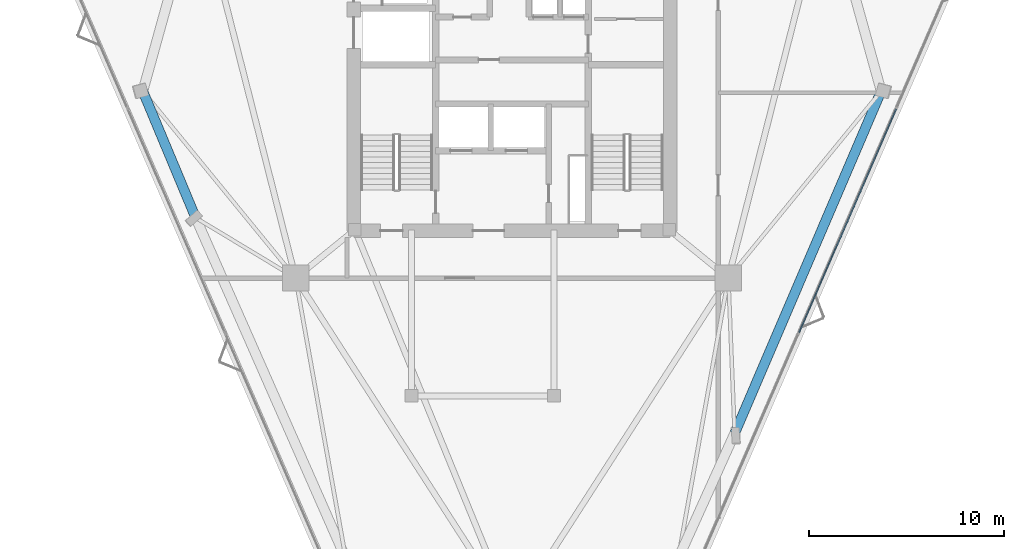
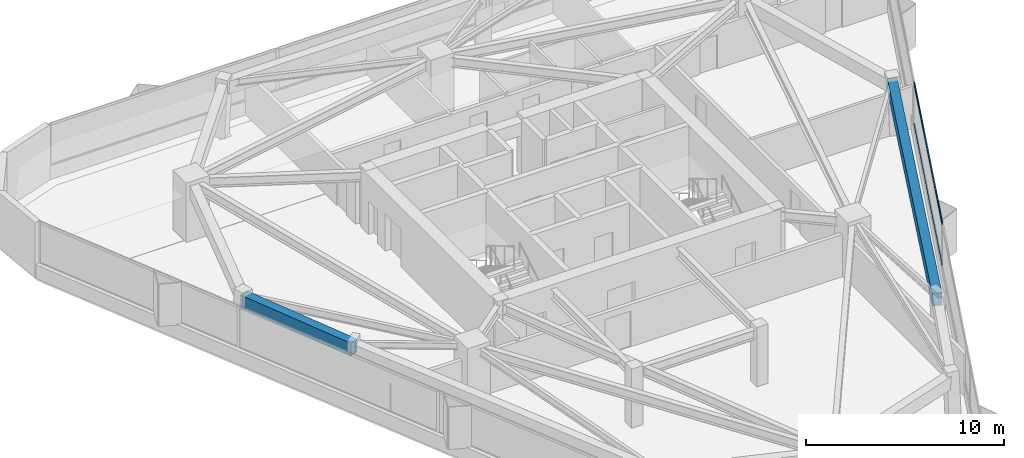
# One storey, part 5 of 13: 2 beams, 2 members, 1 element without a shape of its own.
"""IFC4 building model written with IfcOpenShell, lengths in metres."""

from ifc_helpers import new_model, si_unit, direction, frame, origin, origin_2d, place, context, subcontext, project, spatial, rectangle, extrude, material, layer, layer_set, material_profile, profile_set, type_object, element, aggregate, save


model = new_model("IFC4")

# Units and contexts
model_context = context("Model", 3, precision=1e-05, world=origin(), true_north=direction((0.0, 1.0)))
body_context = subcontext(model_context, "Body", "Model", "MODEL_VIEW")
ifc_project = project(units=[si_unit("LENGTHUNIT", "METRE"), si_unit("AREAUNIT", "SQUARE_METRE"), si_unit("VOLUMEUNIT", "CUBIC_METRE"), si_unit("PLANEANGLEUNIT", "RADIAN"), si_unit("MASSUNIT", "GRAM", prefix="KILO")], contexts=[model_context])

# Site, building, storey
site_placement = place(None, origin())
site = spatial("IfcSite", under=ifc_project, at=site_placement, CompositionType="ELEMENT")
building_placement = place(site_placement, origin())
building = spatial("IfcBuilding", under=site, at=building_placement, Name="Talyreon Biosciences Tower", CompositionType="ELEMENT")
storey_placement = place(building_placement, frame((0.0, 0.0, 212.25)))
storey = spatial("IfcBuildingStorey", under=building, at=storey_placement, Name="L56", CompositionType="ELEMENT", Elevation=212.25)

# Curtain wall, members
ifc_material_1 = material(Name="Thermally broken aluminium and low-E glazing", Category="aluminium")
ifc_layer = layer(ifc_material_1, 0.179931640625)
ifc_layer_set = layer_set([ifc_layer], Name="Thermally broken aluminium and low-E glazing")
curtain_wall_type = type_object("IfcCurtainWallType", Name="CurtainWall_Zone4Optical", PredefinedType="NOTDEFINED", material=ifc_layer_set)
curtain_wall_placement = place(storey_placement, origin())
curtain_wall = element("IfcCurtainWall", 1, at=curtain_wall_placement, inside=storey, type_object=curtain_wall_type, Name="L56 Unitised Curtain Wall FCW-L56-08", PredefinedType="NOTDEFINED")
ifc_material_2 = material(Name="Anodised thermally broken aluminium", Category="aluminium")
ifc_material_profile_1 = material_profile(ifc_material_2, rectangle(XDim=0.06494140625, YDim=0.139892578125, at=origin_2d()), Name="ALUM TRANSOM 65x140")
ifc_profile_set_1 = profile_set([ifc_material_profile_1], Name="Anodised thermally broken aluminium")
member_type = type_object("IfcMemberType", Name="CWTransom_65x140", PredefinedType="USERDEFINED", material=ifc_profile_set_1)
member_1_placement = place(storey_placement, frame((85.683349609375, 67.536865234375, 0.842529296875), z_axis=(-0.39837717116, -0.917221690486, 0.0), x_axis=(0.917221690486, -0.39837717116, 0.0)))
member_1 = element("IfcMember", 2, at=member_1_placement, type_object=member_type, Name="CW5 transom 2.1", ObjectType="TRANSOM", PredefinedType="USERDEFINED", context=body_context, shape_type="SweptSolid", body=[
    extrude(rectangle(XDim=0.06494140625, YDim=0.139892578125, at=origin_2d()), origin(), (0.0, 0.0, 1.0), 12.48583984375),
])
member_2_placement = place(storey_placement, frame((85.683349609375, 67.536865234375, 3.367431640625), z_axis=(-0.39837717116, -0.917221690486, 0.0), x_axis=(0.917221690486, -0.39837717116, 0.0)))
member_2 = element("IfcMember", 3, at=member_2_placement, type_object=member_type, Name="CW5 transom 2.2", ObjectType="TRANSOM", PredefinedType="USERDEFINED", context=body_context, shape_type="SweptSolid", body=[
    extrude(rectangle(XDim=0.06494140625, YDim=0.139892578125, at=origin_2d()), origin(), (0.0, 0.0, 1.0), 12.48583984375),
])
aggregate(curtain_wall, [member_1, member_2])

# Beams
ifc_material_3 = material(Name="Precast concrete C45/55", Category="concrete")
ifc_material_profile_2 = material_profile(ifc_material_3, rectangle(XDim=0.5, YDim=0.780029296875, at=origin_2d()), Name="RCB 500x780")
ifc_profile_set_2 = profile_set([ifc_material_profile_2], Name="Precast concrete C45/55")
beam_type = type_object("IfcBeamType", Name="ExpressedSpandrel_500x780", PredefinedType="SPANDREL", material=ifc_profile_set_2)
beam_1_placement = place(storey_placement, frame((77.406494140625, 50.915283203125, 3.010009765625), z_axis=(0.393564037488, 0.919297203518, 0.0), x_axis=(-0.919297203518, 0.393564037488, 0.0)))
element("IfcBeam", 4, at=beam_1_placement, inside=storey, type_object=beam_type, Name="L56 Expressed Horizontal Concrete Spandrel 03", PredefinedType="SPANDREL", context=body_context, shape_type="SweptSolid", body=[
    extrude(rectangle(XDim=0.5, YDim=0.780029296875, at=origin_2d()), origin(), (0.0, 0.0, 1.0), 19.07763671875),
])
beam_2_placement = place(storey_placement, frame((47.085205078125, 68.453369140625, 3.010009765625), z_axis=(0.385283620589, -0.922798207468, 0.0), x_axis=(0.922798207468, 0.385283620589, 0.0)))
element("IfcBeam", 5, at=beam_2_placement, inside=storey, type_object=beam_type, Name="L56 Expressed Horizontal Concrete Spandrel 10", PredefinedType="SPANDREL", context=body_context, shape_type="SweptSolid", body=[
    extrude(rectangle(XDim=0.5, YDim=0.780029296875, at=origin_2d()), origin(), (0.0, 0.0, 1.0), 7.029296875),
])

save(model, "model.ifc")
